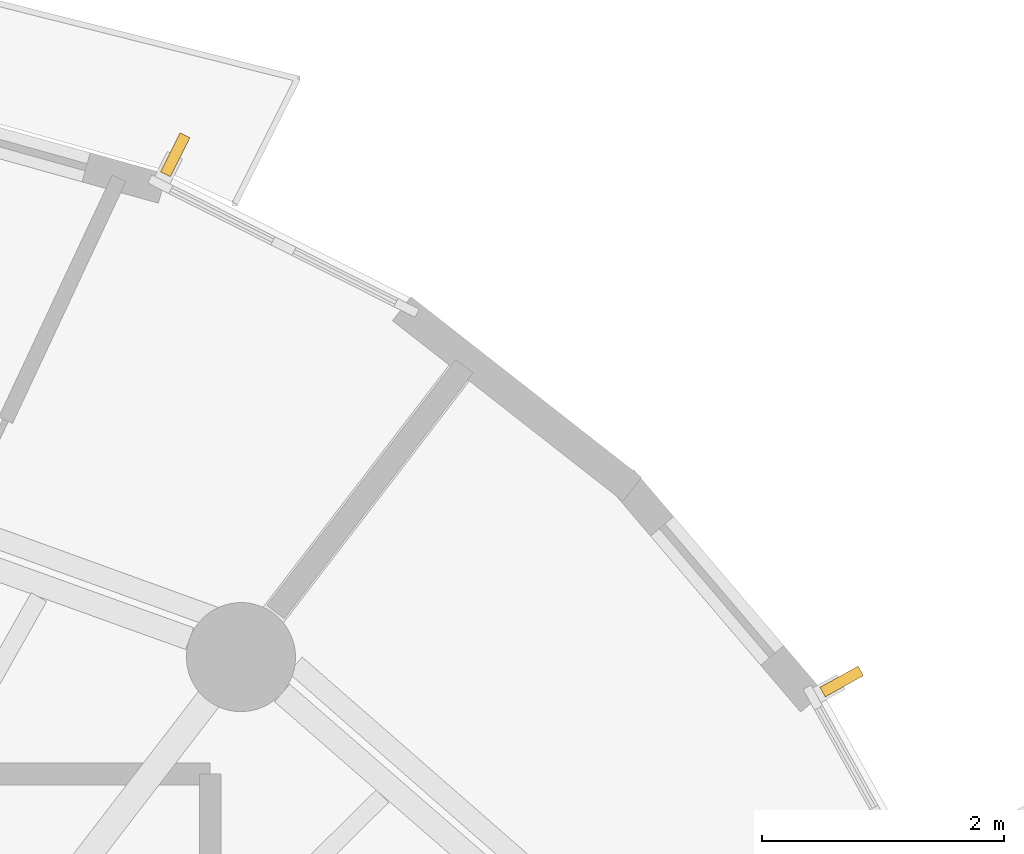
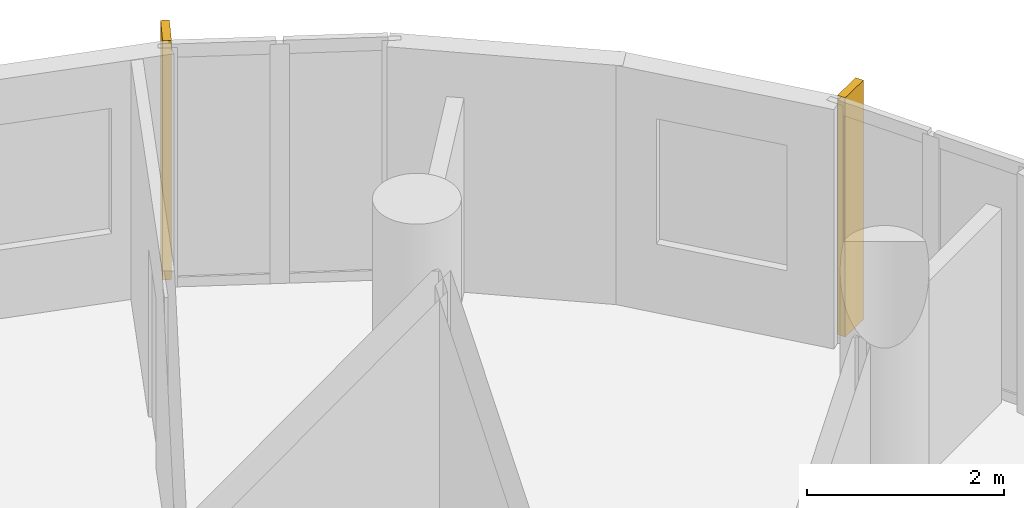
# One storey, part 10 of 10: 2 shading devices.
"""IFC4 building model written with IfcOpenShell, lengths in metres."""

import ifcopenshell
import ifcopenshell.guid

model = None  # the IFC model being written
_history = None  # IfcOwnerHistory: only IFC2X3 demands one
_inside = {}  # id of a spatial element -> (the spatial element, [elements in it])
_under = {}  # id of a project, library or spatial element -> (it, [spatial elements below it])
_declared = {}  # id of a project -> (the project, [libraries it declares])
_typed = {}  # id of a type object -> (the type object, [elements of that type])
_made_of = {}  # id of a material, layer set ... -> (it, [elements and type objects made of it])


def new_model(schema):
    """Start an empty IFC model of exactly this schema.

    Asked for "IFC4X3", IfcOpenShell would pick the latest addendum, in which some entities
    have other attributes; the version numbers below select the first issue.
    IFC2X3 requires an IfcOwnerHistory on every rooted entity: one is made here for all.
    """
    global model, _history
    if schema == "IFC4X3":
        model = ifcopenshell.file(schema_version=(4, 3, 0, 0))
    else:
        model = ifcopenshell.file(schema=schema)
    _inside.clear()
    _under.clear()
    _declared.clear()
    _typed.clear()
    _made_of.clear()
    _history = None
    if model.schema == "IFC2X3":
        org = make("IfcOrganization", Name="unknown")
        user = make(
            "IfcPersonAndOrganization",
            ThePerson=make("IfcPerson", FamilyName="unknown"),
            TheOrganization=org,
        )
        app = make(
            "IfcApplication",
            ApplicationDeveloper=org,
            Version="unknown",
            ApplicationFullName="unknown",
            ApplicationIdentifier="unknown",
        )
        _history = make(
            "IfcOwnerHistory",
            OwningUser=user,
            OwningApplication=app,
            ChangeAction="ADDED",
            CreationDate=0,
        )
    return model


def make(cls, **values):
    """One entity of the class cls with the attributes given. An attribute that is None is left unset."""
    return model.create_entity(
        cls, **{name: value for name, value in values.items() if value is not None}
    )


def rooted(cls, **values):
    """An entity with a GlobalId (a new one), such as an element, a storey or a relation."""
    return make(cls, GlobalId=ifcopenshell.guid.new(), OwnerHistory=_history, **values)


def si_unit(unit_type, name, prefix=None):
    """IfcSIUnit, for example si_unit("LENGTHUNIT", "METRE", prefix="MILLI")."""
    return make("IfcSIUnit", UnitType=unit_type, Prefix=prefix, Name=name)


def assignment(units):
    """IfcUnitAssignment: the units of a project."""
    return None if units is None else make("IfcUnitAssignment", Units=units)


def point(xyz):
    """IfcCartesianPoint."""
    return None if xyz is None else make("IfcCartesianPoint", Coordinates=xyz)


def direction(xyz):
    """IfcDirection."""
    return None if xyz is None else make("IfcDirection", DirectionRatios=xyz)


def frame(location, z_axis=None, x_axis=None):
    """IfcAxis2Placement3D, a coordinate frame: its origin and axes. An axis left out is left unset."""
    return make(
        "IfcAxis2Placement3D",
        Location=point(location),
        Axis=direction(z_axis),
        RefDirection=direction(x_axis),
    )


def frame_2d(location, x_axis=None):
    """IfcAxis2Placement2D, a coordinate frame in the plane: its origin and x axis."""
    return make(
        "IfcAxis2Placement2D", Location=point(location), RefDirection=direction(x_axis)
    )


def origin():
    """The frame at (0, 0, 0) with its axes left unset."""
    return frame((0.0, 0.0, 0.0))


def origin_2d():
    """The frame at (0, 0) in the plane with its x axis left unset."""
    return frame_2d((0.0, 0.0))


def place(relative_to, where):
    """IfcLocalPlacement: puts the frame where relative to a parent placement (None: the world)."""
    return make(
        "IfcLocalPlacement", PlacementRelTo=relative_to, RelativePlacement=where
    )


def context(
    kind, dimensions, precision=None, world=None, true_north=None, identifier=None
):
    """IfcGeometricRepresentationContext, for example the 3D "Model" context."""
    return make(
        "IfcGeometricRepresentationContext",
        ContextIdentifier=identifier,
        ContextType=kind,
        CoordinateSpaceDimension=dimensions,
        Precision=precision,
        WorldCoordinateSystem=world,
        TrueNorth=true_north,
    )


def subcontext(parent, identifier, kind, view, scale=None):
    """IfcGeometricRepresentationSubContext, for example "Body" below "Model"."""
    return make(
        "IfcGeometricRepresentationSubContext",
        ContextIdentifier=identifier,
        ContextType=kind,
        ParentContext=parent,
        TargetScale=scale,
        TargetView=view,
    )


def project(units=None, contexts=None):
    """IfcProject with its units and contexts."""
    return rooted(
        "IfcProject",
        Name="project",
        RepresentationContexts=contexts,
        UnitsInContext=assignment(units),
    )


def spatial(cls, under=None, at=None, **own):
    """A site, building, storey or space (cls), placed at a placement, below another one or the project."""
    s = rooted(cls, ObjectPlacement=at, **own)
    if under is not None:
        _under.setdefault(under.id(), (under, []))[1].append(s)
    return s


def profile(cls, at=None, kind="AREA", **sizes):
    """A parametric profile (cls). Its sizes go by their IFC names, for example OverallWidth=200.0."""
    return make(cls, ProfileType=kind, Position=at, **sizes)


def rectangle(**sizes):
    """IfcRectangleProfileDef."""
    return profile("IfcRectangleProfileDef", **sizes)


def extrude(swept, where, along, depth):
    """IfcExtrudedAreaSolid: the profile swept, set in the frame where, extruded along a direction by depth."""
    return make(
        "IfcExtrudedAreaSolid",
        SweptArea=swept,
        Position=where,
        ExtrudedDirection=direction(along),
        Depth=depth,
    )


def shape(context_of_items, identifier, shape_type, items):
    """IfcShapeRepresentation: the items that make up one representation, for example the "Body"."""
    return make(
        "IfcShapeRepresentation",
        ContextOfItems=context_of_items,
        RepresentationIdentifier=identifier,
        RepresentationType=shape_type,
        Items=items,
    )


def material(Name=None, Category=None):
    """IfcMaterial."""
    return make("IfcMaterial", Name=Name, Category=Category)


def layer(
    of_material, thickness, ventilated=None, Name=None, Category=None, Priority=None
):
    """IfcMaterialLayer: one layer of a wall or slab, of a material (None: an air gap)."""
    return make(
        "IfcMaterialLayer",
        Material=of_material,
        LayerThickness=thickness,
        IsVentilated=ventilated,
        Name=Name,
        Category=Category,
        Priority=Priority,
    )


def layer_set(layers, Name=None):
    """IfcMaterialLayerSet."""
    return make("IfcMaterialLayerSet", MaterialLayers=layers, LayerSetName=Name)


def made_of(thing, what):
    """Note that an element or type object is made of a material, layer set ...; save() writes the relation."""
    if what is not None:
        _made_of.setdefault(what.id(), (what, []))[1].append(thing)
    return thing


def type_object(cls, material=None, **own):
    """A type object (cls), such as IfcWallType, which elements share."""
    return made_of(rooted(cls, **own), material)


def element(
    cls,
    number,
    at=None,
    inside=None,
    cuts=None,
    type_object=None,
    material=None,
    context=None,
    identifier="Body",
    shape_type=None,
    held_by="IfcProductDefinitionShape",
    body=None,
    shapes=None,
    **own,
):
    """One element of the class cls, such as IfcWall. Its Tag is "e" and its number.

    at: its placement. inside: the storey or other place that contains it. cuts: it is an
    opening in that element (IfcRelVoidsElement). A single representation is given by context,
    identifier, shape_type and body (its items); several are given by shapes. held_by: the class
    of the entity that holds the representations. save() writes the other relations.
    """
    e = rooted(cls, Tag="e%d" % number, ObjectPlacement=at, **own)
    if body is not None:
        shapes = [shape(context, identifier, shape_type, body)]
    if shapes is not None:
        e.Representation = make(held_by, Representations=shapes)
    if inside is not None:
        _inside.setdefault(inside.id(), (inside, []))[1].append(e)
    if cuts is not None:
        rooted(
            "IfcRelVoidsElement", RelatingBuildingElement=cuts, RelatedOpeningElement=e
        )
    if type_object is not None:
        _typed.setdefault(type_object.id(), (type_object, []))[1].append(e)
    return made_of(e, material)


def aggregate(whole, parts):
    """IfcRelAggregates: a whole, such as a stair, and the parts it consists of."""
    return rooted("IfcRelAggregates", RelatingObject=whole, RelatedObjects=parts)


def save(model, path):
    """Write the relations noted so far, then the file.

    IfcRelAggregates (storeys below a building ...), IfcRelContainedInSpatialStructure (elements
    in a storey), IfcRelDefinesByType, IfcRelAssociatesMaterial and IfcRelDeclares: one each for
    every whole, place, type object, material and project.
    """
    for whole, parts in _under.values():
        aggregate(whole, parts)
    for where, things in _inside.values():
        rooted(
            "IfcRelContainedInSpatialStructure",
            RelatedElements=things,
            RelatingStructure=where,
        )
    for kind, things in _typed.values():
        rooted("IfcRelDefinesByType", RelatedObjects=things, RelatingType=kind)
    for what, things in _made_of.values():
        rooted("IfcRelAssociatesMaterial", RelatedObjects=things, RelatingMaterial=what)
    for by, libraries in _declared.values():
        rooted("IfcRelDeclares", RelatingContext=by, RelatedDefinitions=libraries)
    model.write(path)


model = new_model("IFC4")

# Units and contexts
model_context = context("Model", 3, precision=1e-05, world=origin(), true_north=direction((0.0, 1.0)))
body_context = subcontext(model_context, "Body", "Model", "MODEL_VIEW")
ifc_project = project(units=[si_unit("LENGTHUNIT", "METRE"), si_unit("AREAUNIT", "SQUARE_METRE"), si_unit("VOLUMEUNIT", "CUBIC_METRE"), si_unit("PLANEANGLEUNIT", "RADIAN"), si_unit("MASSUNIT", "GRAM", prefix="KILO")], contexts=[model_context])

# Site, building, storey
site_placement = place(None, origin())
site = spatial("IfcSite", under=ifc_project, at=site_placement, CompositionType="ELEMENT")
building_placement = place(site_placement, origin())
building = spatial("IfcBuilding", under=site, at=building_placement, Name="Veldorim Arch Residences", CompositionType="ELEMENT")
storey_placement = place(building_placement, frame((0.0, 0.0, 185.43994140625)))
storey = spatial("IfcBuildingStorey", under=building, at=storey_placement, Name="L55", CompositionType="ELEMENT", Elevation=185.43994140625)

# Shading devices
ifc_material = material(Name="Terracotta Ceramic", Category="masonry")
ifc_layer = layer(ifc_material, 0.090087890625, Name="Vertical Extruded Terracotta Baguette Sun-Shading Fin")
ifc_layer_set = layer_set([ifc_layer], Name="Terracotta Ceramic")
shading_device_type = type_object("IfcShadingDeviceType", Name="Vertical Extruded Terracotta Baguette Sun-Shading Fin", PredefinedType="USERDEFINED", material=ifc_layer_set)
for number, where, z_axis, x_axis, name in (
    (1, (38.79150390625, 37.68994140625, 0.0), (0.0, 0.0, 1.0), (0.893606528733, -0.448851168881, 0.0), "L55 vertical terracotta sun-shading fin 02"),
    (2, (44.289794921875, 33.344482421875, 0.0), (0.0, 0.0, 1.0), (0.485877807712, -0.874026747859, 0.0), "L55 vertical terracotta sun-shading fin 35"),
):
    element("IfcShadingDevice", number, at=place(storey_placement, frame(where, z_axis=z_axis, x_axis=x_axis)), inside=storey, type_object=shading_device_type, Name=name, ObjectType="FIN", PredefinedType="USERDEFINED", context=body_context, shape_type="SweptSolid", body=[
        extrude(rectangle(XDim=0.090087890625, YDim=0.360107421875, at=origin_2d()), origin(), (0.0, 0.0, 1.0), 2.9599609375),
    ])

save(model, "model.ifc")
